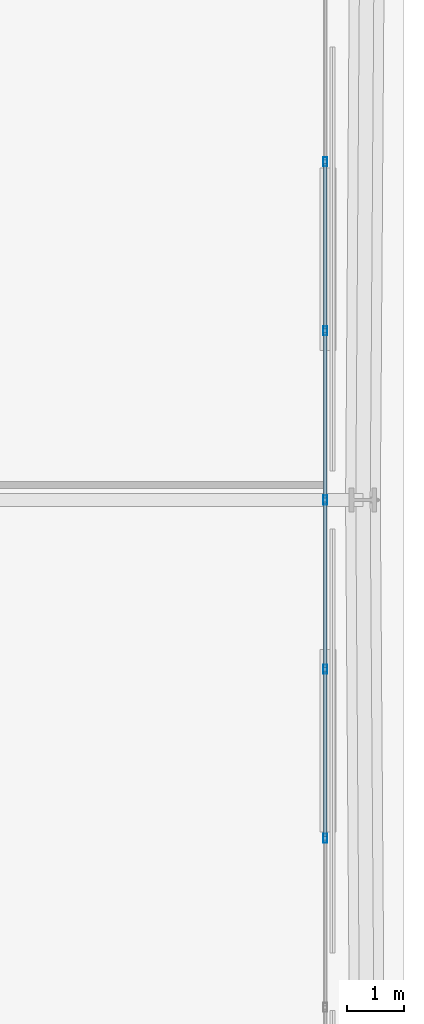
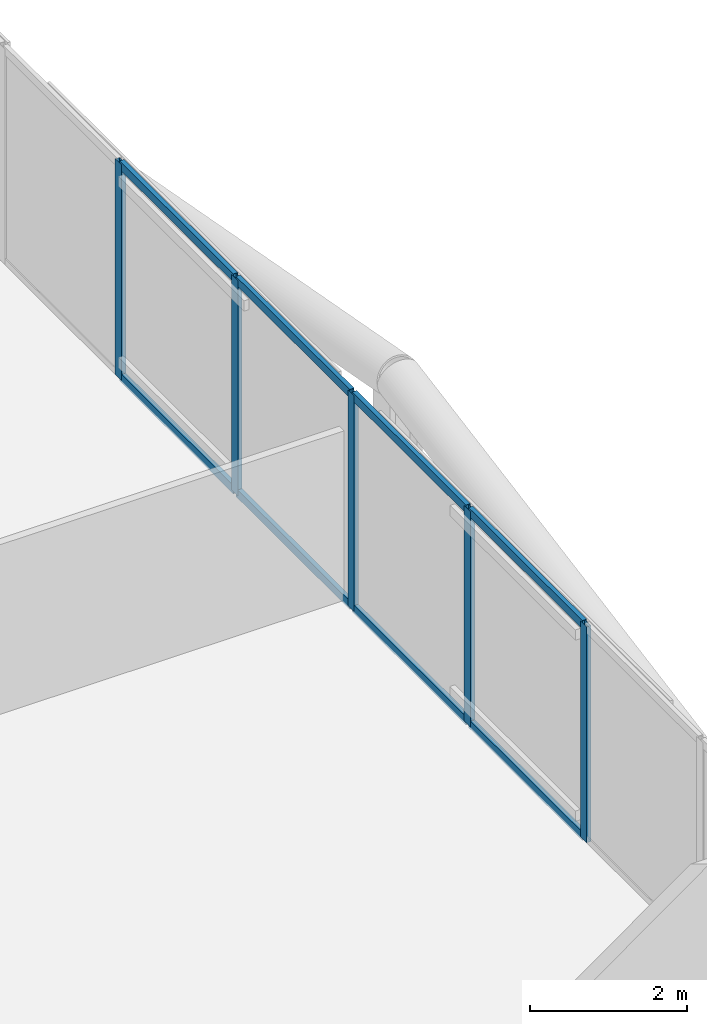
# One storey, part 27 of 50: 13 members, 1 element without a shape of its own.
"""IFC4 building model written with IfcOpenShell, lengths in metres."""

from ifc_helpers import new_model, si_unit, direction, frame, origin, origin_2d, place, context, subcontext, project, spatial, hollow_rectangle, extrude, material, layer, layer_set, material_profile, profile_set, type_object, element, aggregate, save


model = new_model("IFC4")

# Units and contexts
model_context = context("Model", 3, precision=1e-05, world=origin(), true_north=direction((0.0, 1.0)))
body_context = subcontext(model_context, "Body", "Model", "MODEL_VIEW")
ifc_project = project(units=[si_unit("LENGTHUNIT", "METRE"), si_unit("AREAUNIT", "SQUARE_METRE"), si_unit("VOLUMEUNIT", "CUBIC_METRE"), si_unit("PLANEANGLEUNIT", "RADIAN"), si_unit("MASSUNIT", "GRAM", prefix="KILO")], contexts=[model_context])

# Site, building, storey
site_placement = place(None, origin())
site = spatial("IfcSite", under=ifc_project, at=site_placement, CompositionType="ELEMENT")
building_placement = place(site_placement, origin())
building = spatial("IfcBuilding", under=site, at=building_placement, Name="Caelvoria Tower", CompositionType="ELEMENT")
storey_placement = place(building_placement, frame((0.0, 0.0, 71.199951171875)))
storey = spatial("IfcBuildingStorey", under=building, at=storey_placement, Name="L18", CompositionType="ELEMENT", Elevation=71.199951171875)

# Curtain wall, members
ifc_material_1 = material(Name="Anodised Bronze Aluminium and Low-E Glass", Category="aluminium")
ifc_layer = layer(ifc_material_1, 0.18505859375, Name="Anodised Bronze Aluminium and Low-E Glass")
ifc_layer_set = layer_set([ifc_layer], Name="CW System 2 Lower Tower Bronze Unitised Facade - Anodised Bronze Aluminium and Low-E Glass")
curtain_wall_type = type_object("IfcCurtainWallType", Name="CW System 2 Lower Tower Bronze Unitised Facade", PredefinedType="NOTDEFINED", material=ifc_layer_set)
curtain_wall_placement = place(storey_placement, origin())
curtain_wall = element("IfcCurtainWall", 1, at=curtain_wall_placement, inside=storey, type_object=curtain_wall_type, Name="CW-02 Curtain Wall L18-E2", PredefinedType="NOTDEFINED")
ifc_material_2 = material(Name="Anodised Bronze Architectural Aluminium", Category="aluminium")
ifc_material_profile_1 = material_profile(ifc_material_2, hollow_rectangle(XDim=0.06494140625, YDim=0.159912109375, WallThickness=0.00390625, at=origin_2d()), Name="Anodised Bronze Architectural Aluminium")
ifc_profile_set_1 = profile_set([ifc_material_profile_1], Name="CW_MULL_65X160 - Anodised Bronze Architectural Aluminium")
member_type_1 = type_object("IfcMemberType", Name="Curtain Wall Mullion 65x160 Bronze Aluminium", PredefinedType="MULLION", material=ifc_profile_set_1)
member_1_placement = place(storey_placement, frame((70.820068359375, 26.066650390625, 0.0), z_axis=(0.0, 0.0, 1.0), x_axis=(-1.0, 0.0, 0.0)))
member_1 = element("IfcMember", 2, at=member_1_placement, type_object=member_type_1, Name="CW-02 mullion 5", PredefinedType="MULLION", context=body_context, shape_type="SweptSolid", body=[
    extrude(hollow_rectangle(XDim=0.06494140625, YDim=0.159912109375, WallThickness=0.00390625, at=origin_2d()), origin(), (0.0, 0.0, 1.0), 3.360107421875),
])
member_2_placement = place(storey_placement, frame((70.820068359375, 29.033447265625, 0.0), z_axis=(0.0, 0.0, 1.0), x_axis=(-1.0, 0.0, 0.0)))
member_2 = element("IfcMember", 3, at=member_2_placement, type_object=member_type_1, Name="CW-02 mullion 6", PredefinedType="MULLION", context=body_context, shape_type="SweptSolid", body=[
    extrude(hollow_rectangle(XDim=0.06494140625, YDim=0.159912109375, WallThickness=0.00390625, at=origin_2d()), origin(), (0.0, 0.0, 1.0), 3.360107421875),
])
member_3_placement = place(storey_placement, frame((70.820068359375, 32.0, 0.0), z_axis=(0.0, 0.0, 1.0), x_axis=(-1.0, 0.0, 0.0)))
member_3 = element("IfcMember", 4, at=member_3_placement, type_object=member_type_1, Name="CW-02 mullion 7", PredefinedType="MULLION", context=body_context, shape_type="SweptSolid", body=[
    extrude(hollow_rectangle(XDim=0.06494140625, YDim=0.159912109375, WallThickness=0.00390625, at=origin_2d()), origin(), (0.0, 0.0, 1.0), 3.360107421875),
])
member_4_placement = place(storey_placement, frame((70.820068359375, 34.966552734375, 0.0), z_axis=(0.0, 0.0, 1.0), x_axis=(-1.0, 0.0, 0.0)))
member_4 = element("IfcMember", 5, at=member_4_placement, type_object=member_type_1, Name="CW-02 mullion 8", PredefinedType="MULLION", context=body_context, shape_type="SweptSolid", body=[
    extrude(hollow_rectangle(XDim=0.06494140625, YDim=0.159912109375, WallThickness=0.00390625, at=origin_2d()), origin(), (0.0, 0.0, 1.0), 3.360107421875),
])
member_5_placement = place(storey_placement, frame((70.820068359375, 37.933349609375, 0.0), z_axis=(0.0, 0.0, 1.0), x_axis=(-1.0, 0.0, 0.0)))
member_5 = element("IfcMember", 6, at=member_5_placement, type_object=member_type_1, Name="CW-02 mullion 9", PredefinedType="MULLION", context=body_context, shape_type="SweptSolid", body=[
    extrude(hollow_rectangle(XDim=0.06494140625, YDim=0.159912109375, WallThickness=0.00390625, at=origin_2d()), origin(), (0.0, 0.0, 1.0), 3.360107421875),
])
ifc_material_profile_2 = material_profile(ifc_material_2, hollow_rectangle(XDim=0.06494140625, YDim=0.1298828125, WallThickness=0.00341796875, at=origin_2d()), Name="Anodised Bronze Architectural Aluminium")
ifc_profile_set_2 = profile_set([ifc_material_profile_2], Name="CW_TRAN_65X130 - Anodised Bronze Architectural Aluminium")
member_type_2 = type_object("IfcMemberType", Name="Curtain Wall Transom 65x130 Bronze Aluminium", PredefinedType="USERDEFINED", material=ifc_profile_set_2)
member_6_placement = place(storey_placement, frame((70.820068359375, 26.09912109375, 0.032470703125), z_axis=(0.0, 1.0, 0.0), x_axis=(-1.0, 0.0, 0.0)))
member_6 = element("IfcMember", 7, at=member_6_placement, type_object=member_type_2, Name="CW-02 transom 5.1", ObjectType="TRANSOM", PredefinedType="USERDEFINED", context=body_context, shape_type="SweptSolid", body=[
    extrude(hollow_rectangle(XDim=0.06494140625, YDim=0.1298828125, WallThickness=0.00341796875, at=origin_2d()), origin(), (0.0, 0.0, 1.0), 2.901611328125),
])
member_7_placement = place(storey_placement, frame((70.820068359375, 26.09912109375, 3.32763671875), z_axis=(0.0, 1.0, 0.0), x_axis=(-1.0, 0.0, 0.0)))
member_7 = element("IfcMember", 8, at=member_7_placement, type_object=member_type_2, Name="CW-02 transom 5.2", ObjectType="TRANSOM", PredefinedType="USERDEFINED", context=body_context, shape_type="SweptSolid", body=[
    extrude(hollow_rectangle(XDim=0.06494140625, YDim=0.1298828125, WallThickness=0.00341796875, at=origin_2d()), origin(), (0.0, 0.0, 1.0), 2.901611328125),
])
member_8_placement = place(storey_placement, frame((70.820068359375, 29.06591796875, 0.032470703125), z_axis=(0.0, 1.0, 0.0), x_axis=(-1.0, 0.0, 0.0)))
member_8 = element("IfcMember", 9, at=member_8_placement, type_object=member_type_2, Name="CW-02 transom 6.1", ObjectType="TRANSOM", PredefinedType="USERDEFINED", context=body_context, shape_type="SweptSolid", body=[
    extrude(hollow_rectangle(XDim=0.06494140625, YDim=0.1298828125, WallThickness=0.00341796875, at=origin_2d()), origin(), (0.0, 0.0, 1.0), 2.901611328125),
])
member_9_placement = place(storey_placement, frame((70.820068359375, 29.06591796875, 3.32763671875), z_axis=(0.0, 1.0, 0.0), x_axis=(-1.0, 0.0, 0.0)))
member_9 = element("IfcMember", 10, at=member_9_placement, type_object=member_type_2, Name="CW-02 transom 6.2", ObjectType="TRANSOM", PredefinedType="USERDEFINED", context=body_context, shape_type="SweptSolid", body=[
    extrude(hollow_rectangle(XDim=0.06494140625, YDim=0.1298828125, WallThickness=0.00341796875, at=origin_2d()), origin(), (0.0, 0.0, 1.0), 2.901611328125),
])
member_10_placement = place(storey_placement, frame((70.820068359375, 32.032470703125, 0.032470703125), z_axis=(0.0, 1.0, 0.0), x_axis=(-1.0, 0.0, 0.0)))
member_10 = element("IfcMember", 11, at=member_10_placement, type_object=member_type_2, Name="CW-02 transom 7.1", ObjectType="TRANSOM", PredefinedType="USERDEFINED", context=body_context, shape_type="SweptSolid", body=[
    extrude(hollow_rectangle(XDim=0.06494140625, YDim=0.1298828125, WallThickness=0.00341796875, at=origin_2d()), origin(), (0.0, 0.0, 1.0), 2.901611328125),
])
member_11_placement = place(storey_placement, frame((70.820068359375, 32.032470703125, 3.32763671875), z_axis=(0.0, 1.0, 0.0), x_axis=(-1.0, 0.0, 0.0)))
member_11 = element("IfcMember", 12, at=member_11_placement, type_object=member_type_2, Name="CW-02 transom 7.2", ObjectType="TRANSOM", PredefinedType="USERDEFINED", context=body_context, shape_type="SweptSolid", body=[
    extrude(hollow_rectangle(XDim=0.06494140625, YDim=0.1298828125, WallThickness=0.00341796875, at=origin_2d()), origin(), (0.0, 0.0, 1.0), 2.901611328125),
])
member_12_placement = place(storey_placement, frame((70.820068359375, 34.999267578125, 0.032470703125), z_axis=(0.0, 1.0, 0.0), x_axis=(-1.0, 0.0, 0.0)))
member_12 = element("IfcMember", 13, at=member_12_placement, type_object=member_type_2, Name="CW-02 transom 8.1", ObjectType="TRANSOM", PredefinedType="USERDEFINED", context=body_context, shape_type="SweptSolid", body=[
    extrude(hollow_rectangle(XDim=0.06494140625, YDim=0.1298828125, WallThickness=0.00341796875, at=origin_2d()), origin(), (0.0, 0.0, 1.0), 2.901611328125),
])
member_13_placement = place(storey_placement, frame((70.820068359375, 34.999267578125, 3.32763671875), z_axis=(0.0, 1.0, 0.0), x_axis=(-1.0, 0.0, 0.0)))
member_13 = element("IfcMember", 14, at=member_13_placement, type_object=member_type_2, Name="CW-02 transom 8.2", ObjectType="TRANSOM", PredefinedType="USERDEFINED", context=body_context, shape_type="SweptSolid", body=[
    extrude(hollow_rectangle(XDim=0.06494140625, YDim=0.1298828125, WallThickness=0.00341796875, at=origin_2d()), origin(), (0.0, 0.0, 1.0), 2.901611328125),
])
aggregate(curtain_wall, [member_1, member_2, member_3, member_4, member_5, member_6, member_7, member_8, member_9, member_10, member_11, member_12, member_13])

save(model, "model.ifc")
